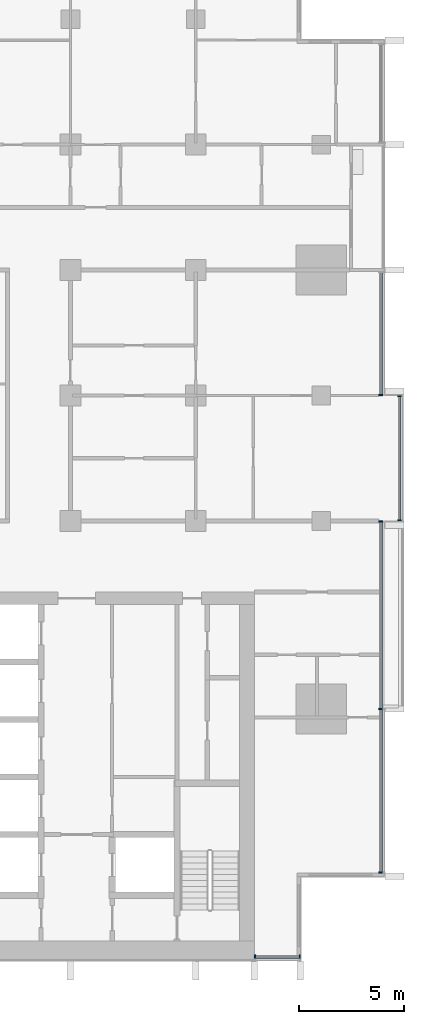
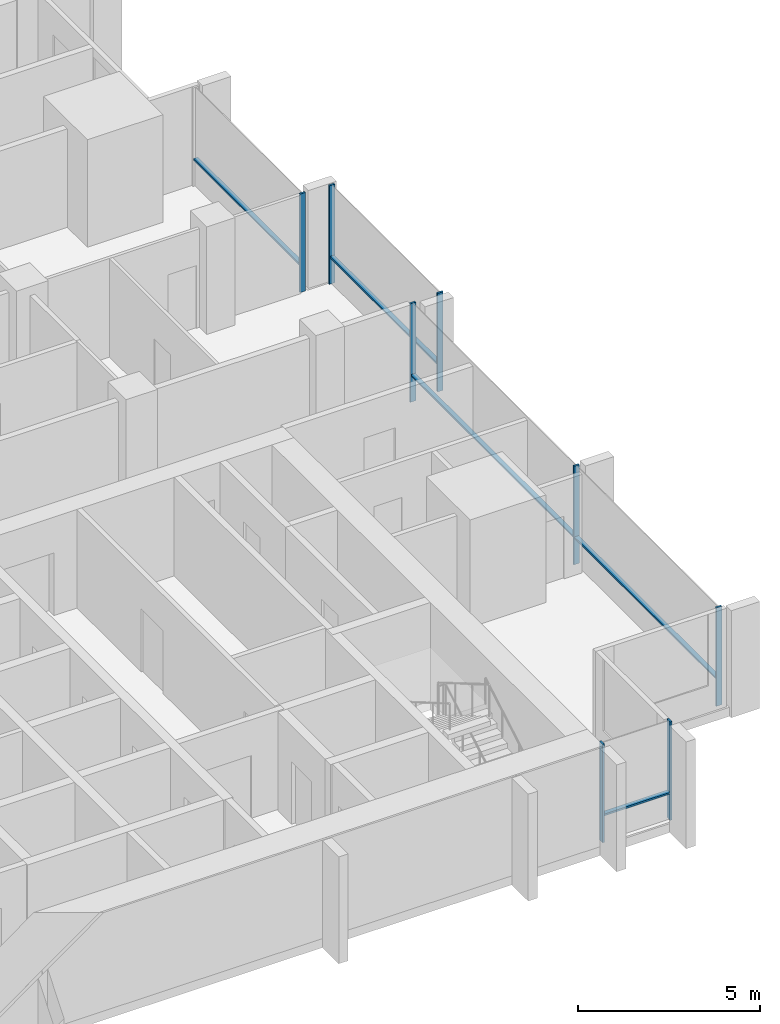
# One storey, part 3 of 17: 13 members, 4 elements without a shape of their own.
"""IFC4 building model written with IfcOpenShell, lengths in metres."""

from ifc_helpers import new_model, si_unit, direction, frame, origin, origin_2d, place, context, subcontext, project, spatial, rectangle, extrude, material, material_profile, profile_set, type_object, element, aggregate, save


model = new_model("IFC4")

# Units and contexts
model_context = context("Model", 3, precision=1e-05, world=origin(), true_north=direction((0.0, 1.0)))
body_context = subcontext(model_context, "Body", "Model", "MODEL_VIEW")
ifc_project = project(units=[si_unit("LENGTHUNIT", "METRE"), si_unit("AREAUNIT", "SQUARE_METRE"), si_unit("VOLUMEUNIT", "CUBIC_METRE"), si_unit("PLANEANGLEUNIT", "RADIAN"), si_unit("MASSUNIT", "GRAM", prefix="KILO")], contexts=[model_context])

# Site, building, storey
site_placement = place(None, origin())
site = spatial("IfcSite", under=ifc_project, at=site_placement, CompositionType="ELEMENT")
building_placement = place(site_placement, origin())
building = spatial("IfcBuilding", under=site, at=building_placement, Name="Finial Court Residences", CompositionType="ELEMENT")
storey_placement = place(building_placement, frame((0.0, 0.0, 170.89990234375)))
storey = spatial("IfcBuildingStorey", under=building, at=storey_placement, Name="L42", CompositionType="ELEMENT", Elevation=170.89990234375)

# Curtain wall, members
ifc_material = material(Name="Bronze anodised aluminium", Category="aluminium")
curtain_wall_type = type_object("IfcCurtainWallType", Name="Unitised curtain wall, upper zones", PredefinedType="NOTDEFINED", material=ifc_material)
curtain_wall_1_placement = place(storey_placement, origin())
curtain_wall_1 = element("IfcCurtainWall", 1, at=curtain_wall_1_placement, inside=storey, type_object=curtain_wall_type, Name="E-L42-CW-E4", PredefinedType="NOTDEFINED")
ifc_material_profile_1 = material_profile(ifc_material, rectangle(XDim=0.175048828125, YDim=0.06005859375, at=origin_2d()), Name="CW2 mullion 60 x 175")
ifc_profile_set_1 = profile_set([ifc_material_profile_1], Name="Bronze anodised aluminium")
member_type_1 = type_object("IfcMemberType", Name="CW2 mullion 60 x 175", PredefinedType="MULLION", material=ifc_profile_set_1)
member_1_placement = place(storey_placement, frame((19.35009765625, -21.320068359375, 0.0), z_axis=(0.0, 0.0, 1.0), x_axis=(-1.0, 0.0, 0.0)))
member_1 = element("IfcMember", 2, at=member_1_placement, type_object=member_type_1, Name="CW2 mullion 1", PredefinedType="MULLION", context=body_context, shape_type="SweptSolid", body=[
    extrude(rectangle(XDim=0.175048828125, YDim=0.06005859375, at=origin_2d()), origin(), (0.0, 0.0, 1.0), 3.300048828125),
])
member_2_placement = place(storey_placement, frame((19.35009765625, -13.5, 0.0), z_axis=(0.0, 0.0, 1.0), x_axis=(-1.0, 0.0, 0.0)))
member_2 = element("IfcMember", 3, at=member_2_placement, type_object=member_type_1, Name="CW2 mullion 2", PredefinedType="MULLION", context=body_context, shape_type="SweptSolid", body=[
    extrude(rectangle(XDim=0.175048828125, YDim=0.06005859375, at=origin_2d()), origin(), (0.0, 0.0, 1.0), 3.300048828125),
])
member_3_placement = place(storey_placement, frame((19.35009765625, -4.530029296875, 0.0), z_axis=(0.0, 0.0, 1.0), x_axis=(-1.0, 0.0, 0.0)))
member_3 = element("IfcMember", 4, at=member_3_placement, type_object=member_type_1, Name="CW2 mullion 3", PredefinedType="MULLION", context=body_context, shape_type="SweptSolid", body=[
    extrude(rectangle(XDim=0.175048828125, YDim=0.06005859375, at=origin_2d()), origin(), (0.0, 0.0, 1.0), 3.300048828125),
])

curtain_wall_2_placement = place(storey_placement, origin())
curtain_wall_2 = element("IfcCurtainWall", 5, at=curtain_wall_2_placement, inside=storey, type_object=curtain_wall_type, Name="E-L42-CW-E5", PredefinedType="NOTDEFINED")
member_4_placement = place(storey_placement, frame((20.25, -4.469970703125, 0.0), z_axis=(0.0, 0.0, 1.0), x_axis=(-1.0, 0.0, 0.0)))
member_4 = element("IfcMember", 6, at=member_4_placement, type_object=member_type_1, Name="CW2 mullion 1", PredefinedType="MULLION", context=body_context, shape_type="SweptSolid", body=[
    extrude(rectangle(XDim=0.175048828125, YDim=0.06005859375, at=origin_2d()), origin(), (0.0, 0.0, 1.0), 3.300048828125),
])
member_5_placement = place(storey_placement, frame((20.25, 1.469970703125, 0.0), z_axis=(0.0, 0.0, 1.0), x_axis=(-1.0, 0.0, 0.0)))
member_5 = element("IfcMember", 7, at=member_5_placement, type_object=member_type_1, Name="CW2 mullion 2", PredefinedType="MULLION", context=body_context, shape_type="SweptSolid", body=[
    extrude(rectangle(XDim=0.175048828125, YDim=0.06005859375, at=origin_2d()), origin(), (0.0, 0.0, 1.0), 3.300048828125),
])

# Curtain wall, member
curtain_wall_3_placement = place(storey_placement, origin())
curtain_wall_3 = element("IfcCurtainWall", 8, at=curtain_wall_3_placement, inside=storey, type_object=curtain_wall_type, Name="E-L42-CW-E6", PredefinedType="NOTDEFINED")
member_6_placement = place(storey_placement, frame((19.35009765625, 1.530029296875, 0.0), z_axis=(0.0, 0.0, 1.0), x_axis=(-1.0, 0.0, 0.0)))
member_6 = element("IfcMember", 9, at=member_6_placement, type_object=member_type_1, Name="CW2 mullion 1", PredefinedType="MULLION", context=body_context, shape_type="SweptSolid", body=[
    extrude(rectangle(XDim=0.175048828125, YDim=0.06005859375, at=origin_2d()), origin(), (0.0, 0.0, 1.0), 3.300048828125),
])

# Curtain wall, members
curtain_wall_4_placement = place(storey_placement, origin())
curtain_wall_4 = element("IfcCurtainWall", 10, at=curtain_wall_4_placement, inside=storey, type_object=curtain_wall_type, Name="E-L42-CW-S9", PredefinedType="NOTDEFINED")
member_7_placement = place(storey_placement, frame((13.330078125, -25.35009765625, 0.0), z_axis=(0.0, 0.0, 1.0), x_axis=(0.0, 1.0, 0.0)))
member_7 = element("IfcMember", 11, at=member_7_placement, type_object=member_type_1, Name="CW2 mullion 1", PredefinedType="MULLION", context=body_context, shape_type="SweptSolid", body=[
    extrude(rectangle(XDim=0.175048828125, YDim=0.06005859375, at=origin_2d()), origin(), (0.0, 0.0, 1.0), 3.300048828125),
])
member_8_placement = place(storey_placement, frame((15.469970703125, -25.35009765625, 0.0), z_axis=(0.0, 0.0, 1.0), x_axis=(0.0, 1.0, 0.0)))
member_8 = element("IfcMember", 12, at=member_8_placement, type_object=member_type_1, Name="CW2 mullion 2", PredefinedType="MULLION", context=body_context, shape_type="SweptSolid", body=[
    extrude(rectangle(XDim=0.175048828125, YDim=0.06005859375, at=origin_2d()), origin(), (0.0, 0.0, 1.0), 3.300048828125),
])

# Member
ifc_material_profile_2 = material_profile(ifc_material, rectangle(XDim=0.139892578125, YDim=0.06005859375, at=origin_2d()), Name="CW2 transom 60 x 140")
ifc_profile_set_2 = profile_set([ifc_material_profile_2], Name="Bronze anodised aluminium")
member_type_2 = type_object("IfcMemberType", Name="CW2 transom 60 x 140", PredefinedType="USERDEFINED", material=ifc_profile_set_2)
member_9_placement = place(storey_placement, frame((19.35009765625, -21.2900390625, 0.900146484375), z_axis=(0.0, 1.0, 0.0), x_axis=(-1.0, 0.0, 0.0)))
member_9 = element("IfcMember", 13, at=member_9_placement, type_object=member_type_2, Name="CW2 transom 1.1", ObjectType="TRANSOM", PredefinedType="USERDEFINED", context=body_context, shape_type="SweptSolid", body=[
    extrude(rectangle(XDim=0.139892578125, YDim=0.06005859375, at=origin_2d()), origin(), (0.0, 0.0, 1.0), 7.760009765625),
])

member_10_placement = place(storey_placement, frame((19.35009765625, -13.469970703125, 0.900146484375), z_axis=(0.0, 1.0, 0.0), x_axis=(-1.0, 0.0, 0.0)))
member_10 = element("IfcMember", 14, at=member_10_placement, type_object=member_type_2, Name="CW2 transom 2.1", ObjectType="TRANSOM", PredefinedType="USERDEFINED", context=body_context, shape_type="SweptSolid", body=[
    extrude(rectangle(XDim=0.139892578125, YDim=0.06005859375, at=origin_2d()), origin(), (0.0, 0.0, 1.0), 8.909912109375),
])

aggregate(curtain_wall_1, [member_1, member_2, member_3, member_9, member_10])

member_11_placement = place(storey_placement, frame((20.25, -4.43994140625, 0.900146484375), z_axis=(0.0, 1.0, 0.0), x_axis=(-1.0, 0.0, 0.0)))
member_11 = element("IfcMember", 15, at=member_11_placement, type_object=member_type_2, Name="CW2 transom 1.1", ObjectType="TRANSOM", PredefinedType="USERDEFINED", context=body_context, shape_type="SweptSolid", body=[
    extrude(rectangle(XDim=0.139892578125, YDim=0.06005859375, at=origin_2d()), origin(), (0.0, 0.0, 1.0), 5.8798828125),
])

aggregate(curtain_wall_2, [member_4, member_5, member_11])

member_12_placement = place(storey_placement, frame((19.35009765625, 1.56005859375, 0.900146484375), z_axis=(0.0, 1.0, 0.0), x_axis=(-1.0, 0.0, 0.0)))
member_12 = element("IfcMember", 16, at=member_12_placement, type_object=member_type_2, Name="CW2 transom 1.1", ObjectType="TRANSOM", PredefinedType="USERDEFINED", context=body_context, shape_type="SweptSolid", body=[
    extrude(rectangle(XDim=0.139892578125, YDim=0.06005859375, at=origin_2d()), origin(), (0.0, 0.0, 1.0), 5.804931640625),
])

aggregate(curtain_wall_3, [member_6, member_12])

member_13_placement = place(storey_placement, frame((13.360107421875, -25.35009765625, 0.900146484375), z_axis=(1.0, 0.0, 0.0), x_axis=(0.0, 1.0, 0.0)))
member_13 = element("IfcMember", 17, at=member_13_placement, type_object=member_type_2, Name="CW2 transom 1.1", ObjectType="TRANSOM", PredefinedType="USERDEFINED", context=body_context, shape_type="SweptSolid", body=[
    extrude(rectangle(XDim=0.139892578125, YDim=0.06005859375, at=origin_2d()), origin(), (0.0, 0.0, 1.0), 2.079833984375),
])

aggregate(curtain_wall_4, [member_7, member_8, member_13])

save(model, "model.ifc")
